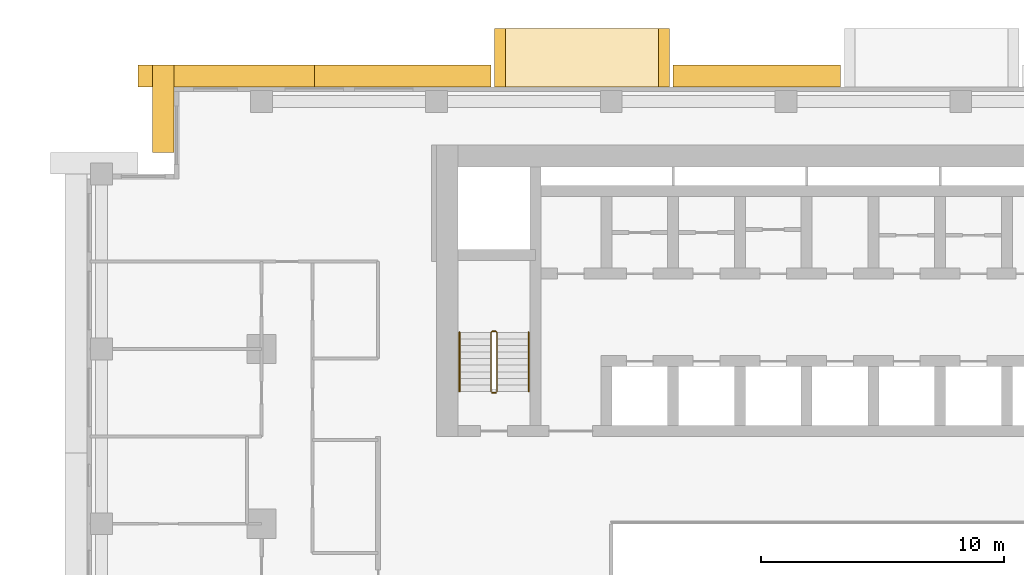
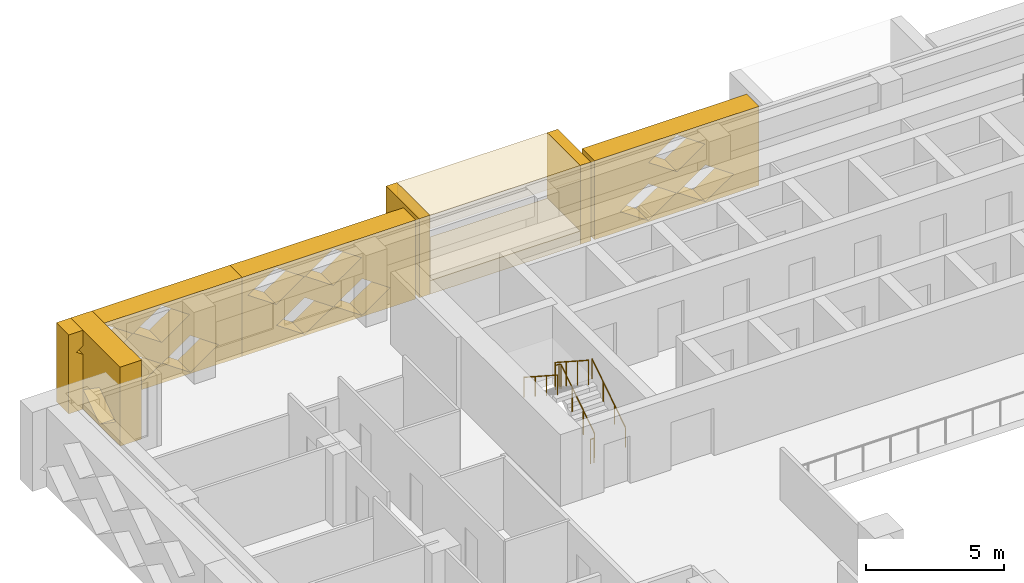
# One storey, part 15 of 17: 8 coverings, 4 railings.
"""IFC4 building model written with IfcOpenShell, lengths in metres."""

from ifc_helpers import new_model, si_unit, direction, frame, origin, origin_2d, place, context, subcontext, project, spatial, polyline, circle, outline, extrude, material, type_object, element, save


model = new_model("IFC4")

# Units and contexts
model_context = context("Model", 3, precision=1e-05, world=origin(), true_north=direction((0.0, 1.0)))
body_context = subcontext(model_context, "Body", "Model", "MODEL_VIEW")
ifc_project = project(units=[si_unit("LENGTHUNIT", "METRE"), si_unit("AREAUNIT", "SQUARE_METRE"), si_unit("VOLUMEUNIT", "CUBIC_METRE"), si_unit("PLANEANGLEUNIT", "RADIAN"), si_unit("MASSUNIT", "GRAM", prefix="KILO")], contexts=[model_context])

# Site, building, storey
site_placement = place(None, origin())
site = spatial("IfcSite", under=ifc_project, at=site_placement, CompositionType="ELEMENT")
building_placement = place(site_placement, origin())
building = spatial("IfcBuilding", under=site, at=building_placement, Name="Saffron Iwan Residences", CompositionType="ELEMENT")
storey_placement = place(building_placement, frame((0.0, 0.0, 97.0)))
storey = spatial("IfcBuildingStorey", under=building, at=storey_placement, Name="L25", CompositionType="ELEMENT", Elevation=97.0)

# Coverings
ifc_material_1 = material(Name="Precast concrete C40/50", Category="concrete")
covering_type_1 = type_object("IfcCoveringType", Name="OUTER SKIN LATTICE SCREEN", PredefinedType="CLADDING", material=ifc_material_1)
covering_1_placement = place(storey_placement, frame((45.449951171875, 80.39990234375, -0.320068359375), z_axis=(0.0, 1.0, 0.0), x_axis=(-1.0, 0.0, 0.0)))
element("IfcCovering", 1, at=covering_1_placement, inside=storey, type_object=covering_type_1, Name="OUTER SKIN lattice screen L25 F5.3", PredefinedType="CLADDING", context=body_context, shape_type="SweptSolid", body=[
    extrude(outline(polyline([(0.0, 0.0), (6.89990234375, 0.0), (6.89990234375, 3.5), (0.0, 3.5), (0.0, 0.0)]), holes=[polyline([(1.070068359375, 0.875), (2.25, 0.06005859375), (3.429931640625, 0.875), (2.25, 1.68994140625), (1.070068359375, 0.875)]), polyline([(3.469970703125, 0.875), (4.64990234375, 0.06005859375), (5.830078125, 0.875), (4.64990234375, 1.68994140625), (3.469970703125, 0.875)]), polyline([(2.27001953125, 2.625), (3.449951171875, 1.81005859375), (4.6298828125, 2.625), (3.449951171875, 3.43994140625), (2.27001953125, 2.625)])]), origin(), (0.0, 0.0, 1.0), 0.900146484375),
])
covering_2_placement = place(storey_placement, frame((31.050048828125, 80.39990234375, -0.320068359375), z_axis=(0.0, 1.0, 0.0), x_axis=(-1.0, 0.0, 0.0)))
element("IfcCovering", 2, at=covering_2_placement, inside=storey, type_object=covering_type_1, Name="OUTER SKIN lattice screen L25 F5.4", PredefinedType="CLADDING", context=body_context, shape_type="SweptSolid", body=[
    extrude(outline(polyline([(0.0, 0.0), (7.27490234375, 0.0), (7.27490234375, 3.5), (0.0, 3.5), (0.0, 0.0)]), holes=[polyline([(1.070068359375, 0.875), (2.25, 0.06005859375), (3.429931640625, 0.875), (2.25, 1.68994140625), (1.070068359375, 0.875)]), polyline([(3.469970703125, 0.875), (4.64990234375, 0.06005859375), (5.830078125, 0.875), (4.64990234375, 1.68994140625), (3.469970703125, 0.875)]), polyline([(2.27001953125, 2.625), (3.449951171875, 1.81005859375), (4.6298828125, 2.625), (3.449951171875, 3.43994140625), (2.27001953125, 2.625)]), polyline([(4.669921875, 2.625), (5.85009765625, 1.81005859375), (7.030029296875, 2.625), (5.85009765625, 3.43994140625), (4.669921875, 2.625)])]), origin(), (0.0, 0.0, 1.0), 0.900146484375),
])
covering_3_placement = place(storey_placement, frame((23.77490234375, 80.39990234375, -0.320068359375), z_axis=(0.0, 1.0, 0.0), x_axis=(-1.0, 0.0, 0.0)))
element("IfcCovering", 3, at=covering_3_placement, inside=storey, type_object=covering_type_1, Name="OUTER SKIN lattice screen L25 F5.5", PredefinedType="CLADDING", context=body_context, shape_type="SweptSolid", body=[
    extrude(outline(polyline([(0.0, 0.0), (7.27490234375, 0.0), (7.27490234375, 3.5), (0.0, 3.5), (0.0, 0.0)]), holes=[polyline([(0.9951171875, 0.875), (2.175048828125, 0.06005859375), (3.35498046875, 0.875), (2.175048828125, 1.68994140625), (0.9951171875, 0.875)]), polyline([(3.39501953125, 0.875), (4.574951171875, 0.06005859375), (5.7548828125, 0.875), (4.574951171875, 1.68994140625), (3.39501953125, 0.875)]), polyline([(2.195068359375, 2.625), (3.375, 1.81005859375), (4.554931640625, 2.625), (3.375, 3.43994140625), (2.195068359375, 2.625)]), polyline([(4.594970703125, 2.625), (5.77490234375, 1.81005859375), (6.955078125, 2.625), (5.77490234375, 3.43994140625), (4.594970703125, 2.625)])]), origin(), (0.0, 0.0, 1.0), 0.900146484375),
])
covering_4_placement = place(storey_placement, frame((18.0, 81.300048828125, -0.320068359375), z_axis=(-1.0, 0.0, 0.0), x_axis=(0.0, -1.0, 0.0)))
element("IfcCovering", 4, at=covering_4_placement, inside=storey, type_object=covering_type_1, Name="OUTER SKIN lattice screen L25 F6.0", PredefinedType="CLADDING", context=body_context, shape_type="SweptSolid", body=[
    extrude(outline(polyline([(0.0, 0.0), (3.60009765625, 0.0), (3.60009765625, 3.5), (0.0, 3.5), (0.0, 0.0)]), holes=[polyline([(0.919921875, 0.875), (2.10009765625, 0.06005859375), (3.280029296875, 0.875), (2.10009765625, 1.68994140625), (0.919921875, 0.875)])]), origin(), (0.0, 0.0, 1.0), 0.89990234375),
])

# Railings
ifc_material_2 = material(Name="Steel S355", Category="steel")
railing_type_1 = type_object("IfcRailingType", Name="Stair guard 1100", PredefinedType="GUARDRAIL", material=ifc_material_2)
railing_1_placement = place(storey_placement, frame((31.300048828125, 67.85009765625, 0.175048828125)))
element("IfcRailing", 5, at=railing_1_placement, inside=storey, type_object=railing_type_1, Name="L25 ST-W stair guard 1", PredefinedType="GUARDRAIL", context=body_context, shape_type="SweptSolid", body=[
    extrude(circle(Radius=0.02392578125, at=origin_2d()), frame((0.0, 0.0, 1.076171875), z_axis=(0.0, 0.839153699163, 0.543894354798), x_axis=(-1.0, 0.0, 0.0)), (0.0, 0.0, 1.0), 2.895751953125),
    extrude(circle(Radius=0.02392578125, at=origin_2d()), frame((0.0, 2.429931640625, 2.65087890625), z_axis=(-0.707106781187, 0.707106781187, 0.0), x_axis=(-0.707106781187, -0.707106781187, 0.0)), (0.0, 0.0, 1.0), 0.07080078125),
    extrude(circle(Radius=0.02392578125, at=origin_2d()), frame((-0.050048828125, 2.47998046875, 2.65087890625), z_axis=(-1.0, 0.0, 0.0), x_axis=(0.0, -1.0, 0.0)), (0.0, 0.0, 1.0), 0.14990234375),
    extrude(circle(Radius=0.02392578125, at=origin_2d()), frame((-0.199951171875, 2.47998046875, 2.65087890625), z_axis=(-0.265065253269, -0.265065253269, 0.927081885822), x_axis=(0.707106781187, -0.707106781187, 0.0)), (0.0, 0.0, 1.0), 0.188720703125),
    extrude(circle(Radius=0.02392578125, at=origin_2d()), frame((-0.25, 2.429931640625, 2.826171875), z_axis=(0.0, -0.839153699163, 0.543894354798), x_axis=(1.0, 0.0, 0.0)), (0.0, 0.0, 1.0), 2.895751953125),
    extrude(circle(Radius=0.02099609375, at=origin_2d()), origin(), (0.0, 0.0, 1.0), 1.052001953125),
    extrude(circle(Radius=0.02099609375, at=origin_2d()), frame((0.0, 0.81005859375, 0.52490234375)), (0.0, 0.0, 1.0), 1.052001953125),
    extrude(circle(Radius=0.02099609375, at=origin_2d()), frame((0.0, 1.619873046875, 1.050048828125)), (0.0, 0.0, 1.0), 1.052001953125),
    extrude(circle(Radius=0.02099609375, at=origin_2d()), frame((0.0, 2.429931640625, 1.574951171875)), (0.0, 0.0, 1.0), 1.052001953125),
    extrude(circle(Radius=0.02099609375, at=origin_2d()), frame((-0.050048828125, 2.47998046875, 1.574951171875)), (0.0, 0.0, 1.0), 1.052001953125),
    extrude(circle(Radius=0.02099609375, at=origin_2d()), frame((-0.199951171875, 2.47998046875, 1.574951171875)), (0.0, 0.0, 1.0), 1.052001953125),
    extrude(circle(Radius=0.02099609375, at=origin_2d()), frame((-0.25, 2.429931640625, 1.75)), (0.0, 0.0, 1.0), 1.052001953125),
    extrude(circle(Radius=0.02099609375, at=origin_2d()), frame((-0.25, 1.619873046875, 2.27490234375)), (0.0, 0.0, 1.0), 1.052001953125),
    extrude(circle(Radius=0.02099609375, at=origin_2d()), frame((-0.25, 0.81005859375, 2.800048828125)), (0.0, 0.0, 1.0), 1.052001953125),
    extrude(circle(Radius=0.02099609375, at=origin_2d()), frame((-0.25, 0.0, 3.324951171875)), (0.0, 0.0, 1.0), 1.052001953125),
])
railing_2_placement = place(storey_placement, frame((31.25, 67.800048828125, 0.0)))
element("IfcRailing", 6, at=railing_2_placement, inside=storey, type_object=railing_type_1, Name="L25 ST-W stair guard 2", PredefinedType="GUARDRAIL", context=body_context, shape_type="SweptSolid", body=[
    extrude(circle(Radius=0.02392578125, at=origin_2d()), frame((0.0, 0.0, 1.076171875), z_axis=(-1.0, 0.0, 0.0), x_axis=(0.0, -1.0, 0.0)), (0.0, 0.0, 1.0), 0.14990234375),
    extrude(circle(Radius=0.02099609375, at=origin_2d()), origin(), (0.0, 0.0, 1.0), 1.052001953125),
    extrude(circle(Radius=0.02099609375, at=origin_2d()), frame((-0.14990234375, 0.0, 0.0)), (0.0, 0.0, 1.0), 1.052001953125),
])
ifc_material_3 = material(Name="Stainless steel 316", Category="steel")
railing_type_2 = type_object("IfcRailingType", Name="Stair handrail 900", PredefinedType="HANDRAIL", material=ifc_material_3)
railing_3_placement = place(storey_placement, frame((32.60009765625, 67.85009765625, 0.175048828125)))
element("IfcRailing", 7, at=railing_3_placement, inside=storey, type_object=railing_type_2, Name="L25 ST-W stair handrail 1", PredefinedType="HANDRAIL", context=body_context, shape_type="SweptSolid", body=[
    extrude(circle(Radius=0.02392578125, at=origin_2d()), frame((0.0, 0.0, 0.8759765625), z_axis=(0.0, 0.839153699163, 0.543894354798), x_axis=(-1.0, 0.0, 0.0)), (0.0, 0.0, 1.0), 2.895751953125),
    extrude(circle(Radius=0.02099609375, at=origin_2d()), origin(), (0.0, 0.0, 1.0), 0.851806640625),
    extrude(circle(Radius=0.02099609375, at=origin_2d()), frame((0.0, 0.81005859375, 0.52490234375)), (0.0, 0.0, 1.0), 0.851806640625),
    extrude(circle(Radius=0.02099609375, at=origin_2d()), frame((0.0, 1.619873046875, 1.050048828125)), (0.0, 0.0, 1.0), 0.851806640625),
    extrude(circle(Radius=0.02099609375, at=origin_2d()), frame((0.0, 2.429931640625, 1.574951171875)), (0.0, 0.0, 1.0), 0.851806640625),
])
railing_4_placement = place(storey_placement, frame((29.75, 70.280029296875, 1.925048828125)))
element("IfcRailing", 8, at=railing_4_placement, inside=storey, type_object=railing_type_2, Name="L25 ST-W stair handrail 2", PredefinedType="HANDRAIL", context=body_context, shape_type="SweptSolid", body=[
    extrude(circle(Radius=0.02392578125, at=origin_2d()), frame((0.0, 0.0, 0.8759765625), z_axis=(0.0, -0.839153699163, 0.543894354798), x_axis=(1.0, 0.0, 0.0)), (0.0, 0.0, 1.0), 2.895751953125),
    extrude(circle(Radius=0.02099609375, at=origin_2d()), origin(), (0.0, 0.0, 1.0), 0.851806640625),
    extrude(circle(Radius=0.02099609375, at=origin_2d()), frame((0.0, -0.81005859375, 0.52490234375)), (0.0, 0.0, 1.0), 0.851806640625),
    extrude(circle(Radius=0.02099609375, at=origin_2d()), frame((0.0, -1.619873046875, 1.050048828125)), (0.0, 0.0, 1.0), 0.851806640625),
    extrude(circle(Radius=0.02099609375, at=origin_2d()), frame((0.0, -2.429931640625, 1.574951171875)), (0.0, 0.0, 1.0), 0.851806640625),
])

# Coverings
ifc_material_4 = material(Name="Precast concrete C40/50 white painted", Category="concrete")
covering_type_2 = type_object("IfcCoveringType", Name="WHITE SUN FRAME PRECAST", PredefinedType="CLADDING", material=ifc_material_4)
for number, where, z_axis, x_axis, name in (
    (9, (38.39990234375, 80.39990234375, -0.320068359375), (0.0, 1.0, 0.0), (-1.0, 0.0, 0.0), "Sun frame L25 F5 44.4a"),
    (10, (31.64990234375, 80.39990234375, -0.320068359375), (0.0, 1.0, 0.0), (-1.0, 0.0, 0.0), "Sun frame L25 F5 44.4b"),
):
    element("IfcCovering", number, at=place(storey_placement, frame(where, z_axis=z_axis, x_axis=x_axis)), inside=storey, type_object=covering_type_2, Name=name, PredefinedType="CLADDING", context=body_context, shape_type="SweptSolid", body=[
        extrude(outline(polyline([(0.0, 0.0), (0.449951171875, 0.0), (0.449951171875, 3.5), (0.0, 3.5), (0.0, 0.0)])), origin(), (0.0, 0.0, 1.0), 2.400146484375),
    ])
for number, where, z_axis, x_axis, name in (
    (11, (37.949951171875, 80.39990234375, 2.580078125), (0.0, 1.0, 0.0), (-1.0, 0.0, 0.0), "Sun frame L25 F5 44.4h"),
    (12, (37.949951171875, 80.39990234375, -0.320068359375), (0.0, 1.0, 0.0), (-1.0, 0.0, 0.0), "Sun frame L25 F5 44.4s"),
):
    element("IfcCovering", number, at=place(storey_placement, frame(where, z_axis=z_axis, x_axis=x_axis)), inside=storey, type_object=covering_type_2, Name=name, PredefinedType="CLADDING", context=body_context, shape_type="SweptSolid", body=[
        extrude(outline(polyline([(0.0, 0.0), (6.300048828125, 0.0), (6.300048828125, 0.60009765625), (0.0, 0.60009765625), (0.0, 0.0)])), origin(), (0.0, 0.0, 1.0), 2.400146484375),
    ])

save(model, "model.ifc")
